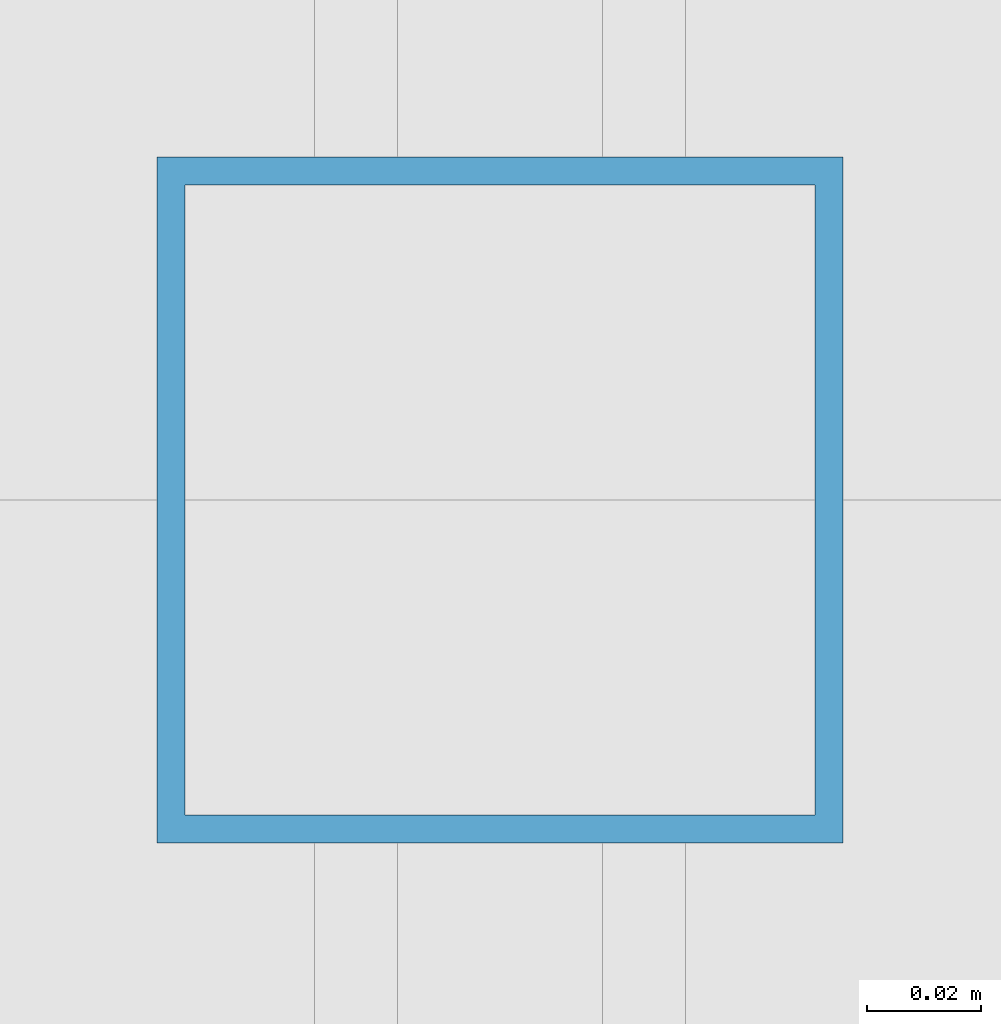
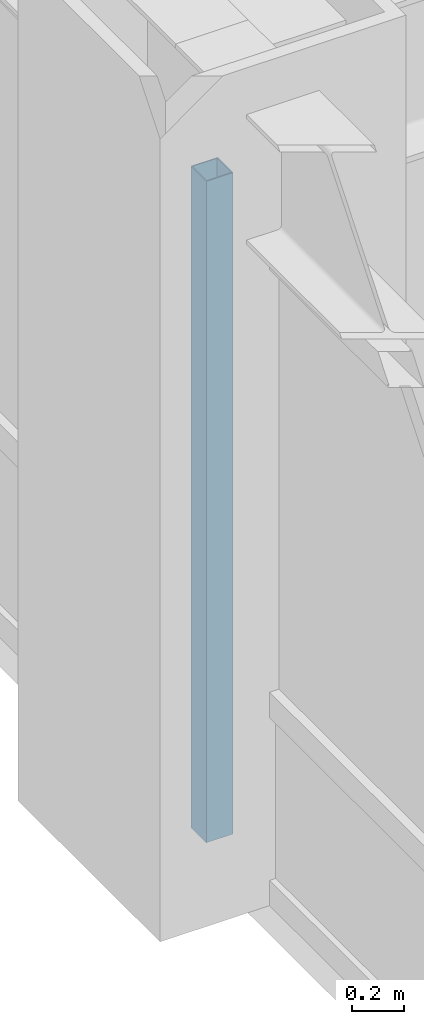
# One storey, part 6 of 24: 1 member, 1 element without a shape of its own.
"""IFC4 building model written with IfcOpenShell, lengths in metres."""

from ifc_helpers import new_model, si_unit, direction, frame, origin, origin_2d, place, context, subcontext, project, spatial, hollow_rectangle, extrude, source, transform, mapped, material, material_profile, profile_set, type_object, element, aggregate, save


model = new_model("IFC4")

# Units and contexts
model_context = context("Model", 3, precision=1e-05, world=origin(), true_north=direction((0.0, 1.0)))
body_context = subcontext(model_context, "Body", "Model", "MODEL_VIEW")
ifc_project = project(units=[si_unit("LENGTHUNIT", "METRE"), si_unit("AREAUNIT", "SQUARE_METRE"), si_unit("VOLUMEUNIT", "CUBIC_METRE"), si_unit("PLANEANGLEUNIT", "RADIAN"), si_unit("MASSUNIT", "GRAM", prefix="KILO")], contexts=[model_context])

# Site, building, storey
site_placement = place(None, origin())
site = spatial("IfcSite", under=ifc_project, at=site_placement, CompositionType="ELEMENT")
building_placement = place(site_placement, origin())
building = spatial("IfcBuilding", under=site, at=building_placement, Name="Khorayat Bourse Tower", CompositionType="ELEMENT")
storey_placement = place(building_placement, frame((0.0, 0.0, 203.10009765625)))
storey = spatial("IfcBuildingStorey", under=building, at=storey_placement, Name="L47", CompositionType="ELEMENT", Elevation=203.10009765625)

# Curtain wall, member
ifc_material = material(Name="Aluminium EN AW-6063 T6", Category="aluminium")
curtain_wall_type = type_object("IfcCurtainWallType", Name="CW-SYS-03", PredefinedType="NOTDEFINED", material=ifc_material)
curtain_wall_placement = place(storey_placement, origin())
curtain_wall = element("IfcCurtainWall", 1, at=curtain_wall_placement, inside=storey, type_object=curtain_wall_type, Name="L47 Curtain Wall CW-L47-W1", PredefinedType="NOTDEFINED")
ifc_material_profile = material_profile(ifc_material, hollow_rectangle(XDim=0.1201171875, YDim=0.1201171875, WallThickness=0.0048828125, at=origin_2d()), Name="ALU 120x120x5")
ifc_profile_set = profile_set([ifc_material_profile], Name="Aluminium EN AW-6063 T6")
member_type = type_object("IfcMemberType", Name="CWM-VERT-120", PredefinedType="MULLION", material=ifc_profile_set)
shared_shape = source(origin(), body_context, "Body", "SweptSolid", [
    extrude(hollow_rectangle(XDim=0.1201171875, YDim=0.1201171875, WallThickness=0.0048828125, at=origin_2d()), origin(), (0.0, 0.0, 1.0), 3.1298828125),
])
member_placement = place(storey_placement, frame((-30.0, 0.0, 0.0), z_axis=(0.0, 0.0, 1.0), x_axis=(-1.0, 0.0, 0.0)))
member = element("IfcMember", 2, at=member_placement, type_object=member_type, Name="CW-L47-W1 Vertical Mullion 2", PredefinedType="MULLION", context=body_context, shape_type="MappedRepresentation", body=[
    mapped(shared_shape, transform((0.0, 0.0, 0.0), scale=1.0)),
])
aggregate(curtain_wall, [member])

save(model, "model.ifc")
